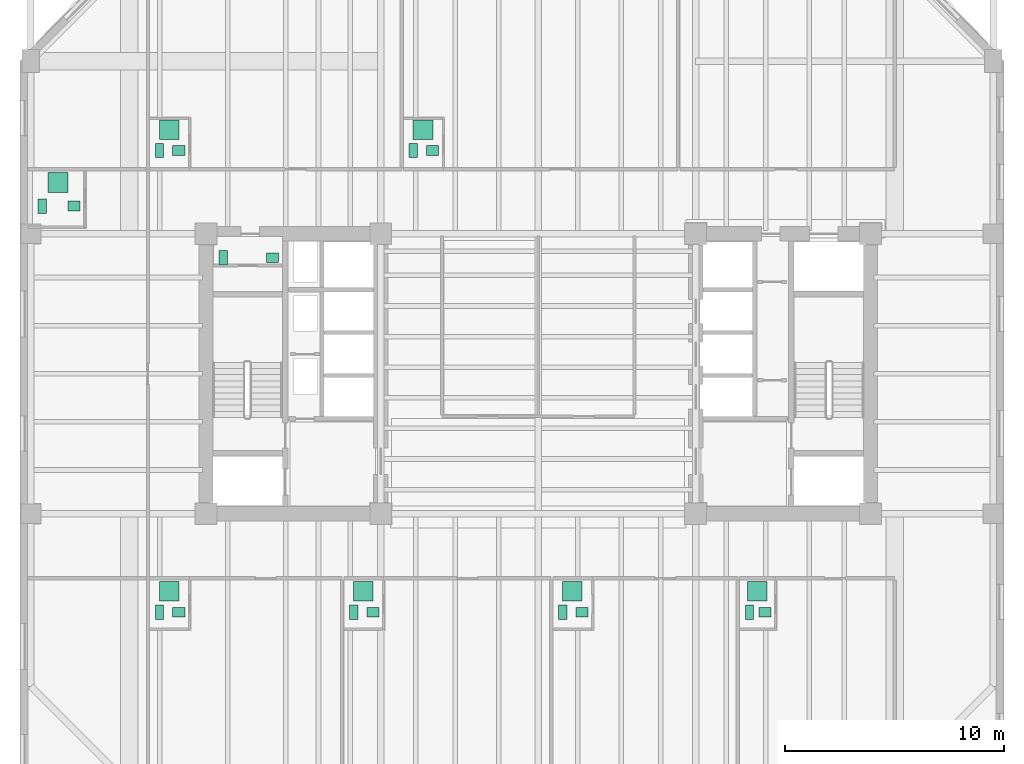
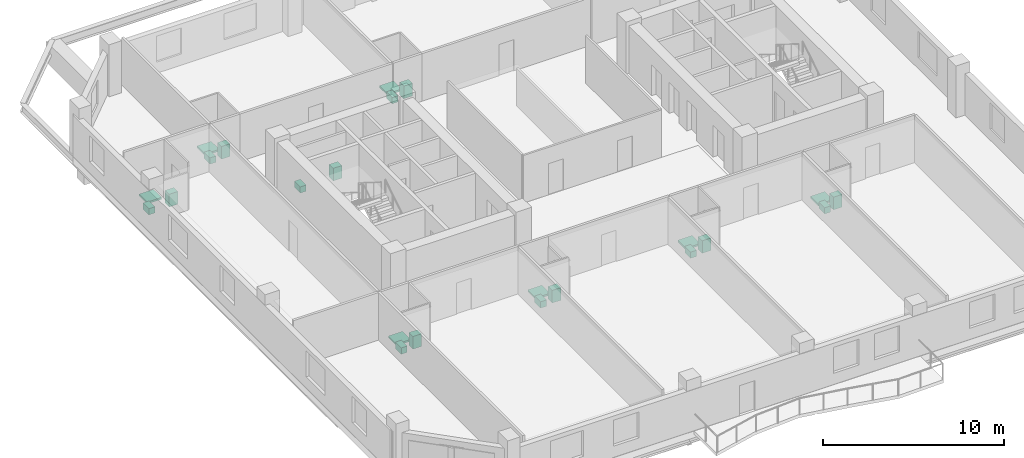
# One storey, part 11 of 11: 23 sanitary terminals.
"""IFC4 building model written with IfcOpenShell, lengths in metres."""

from ifc_helpers import new_model, si_unit, direction, frame, origin, origin_2d, place, context, subcontext, project, spatial, rectangle, extrude, material, type_object, element, save


model = new_model("IFC4")

# Units and contexts
model_context = context("Model", 3, precision=1e-05, world=origin(), true_north=direction((0.0, 1.0)))
body_context = subcontext(model_context, "Body", "Model", "MODEL_VIEW")
ifc_project = project(units=[si_unit("LENGTHUNIT", "METRE"), si_unit("AREAUNIT", "SQUARE_METRE"), si_unit("VOLUMEUNIT", "CUBIC_METRE"), si_unit("PLANEANGLEUNIT", "RADIAN"), si_unit("MASSUNIT", "GRAM", prefix="KILO")], contexts=[model_context])

# Site, building, storey
site_placement = place(None, origin())
site = spatial("IfcSite", under=ifc_project, at=site_placement, CompositionType="ELEMENT")
building_placement = place(site_placement, origin())
building = spatial("IfcBuilding", under=site, at=building_placement, Name="Kranthara Brick Stack", CompositionType="ELEMENT")
storey_placement = place(building_placement, frame((0.0, 0.0, 120.300048828125)))
storey = spatial("IfcBuildingStorey", under=building, at=storey_placement, Name="L29", CompositionType="ELEMENT", Elevation=120.300048828125)

# Sanitary terminals
ifc_material_1 = material(Name="Vitreous china sanitary porcelain", Category="other")
sanitary_terminal_type_1 = type_object("IfcSanitaryTerminalType", Name="SAN-BASIN", PredefinedType="WASHHANDBASIN", material=ifc_material_1)
for number, where, z_axis, x_axis, name in (
    (1, (15.85009765625, 32.5048828125, 0.0), (0.0, 0.0, 1.0), (1.0, 0.0, 0.0), "L29 Washbasin 87"),
    (2, (11.56005859375, 16.294921875, 0.0), (0.0, 0.0, 1.0), (1.0, 0.0, 0.0), "L29 Washbasin 88"),
    (3, (20.43896484375, 16.294921875, 0.0), (0.0, 0.0, 1.0), (1.0, 0.0, 0.0), "L29 Washbasin 89"),
    (4, (30.0009765625, 16.294921875, 0.0), (0.0, 0.0, 1.0), (1.0, 0.0, 0.0), "L29 Washbasin 90"),
    (5, (38.360107421875, 16.294921875, 0.0), (0.0, 0.0, 1.0), (1.0, 0.0, 0.0), "L29 Washbasin 91"),
    (6, (11.56005859375, 37.405029296875, 0.0), (0.0, 0.0, 1.0), (1.0, 0.0, 0.0), "L29 Washbasin 92"),
    (7, (23.1708984375, 37.405029296875, 0.0), (0.0, 0.0, 1.0), (1.0, 0.0, 0.0), "L29 Washbasin 93"),
    (8, (6.760009765625, 34.864990234375, 0.0), (0.0, 0.0, 1.0), (1.0, 0.0, 0.0), "L29 Washbasin 94"),
):
    element("IfcSanitaryTerminal", number, at=place(storey_placement, frame(where, z_axis=z_axis, x_axis=x_axis)), inside=storey, type_object=sanitary_terminal_type_1, Name=name, PredefinedType="WASHHANDBASIN", context=body_context, shape_type="SweptSolid", body=[
        extrude(rectangle(XDim=0.550048828125, YDim=0.449951171875, at=origin_2d()), origin(), (0.0, 0.0, 1.0), 0.85009765625),
    ])
ifc_material_2 = material(Name="Acrylic and porcelain shower tray", Category="other")
sanitary_terminal_type_2 = type_object("IfcSanitaryTerminalType", Name="SAN-SHOWER", PredefinedType="SHOWER", material=ifc_material_2)
for number, where, z_axis, x_axis, name in (
    (9, (11.1201171875, 17.25, 0.0), (0.0, 0.0, 1.0), (1.0, 0.0, 0.0), "L29 Shower Tray 88"),
    (10, (19.9990234375, 17.25, 0.0), (0.0, 0.0, 1.0), (1.0, 0.0, 0.0), "L29 Shower Tray 89"),
    (11, (29.56103515625, 17.25, 0.0), (0.0, 0.0, 1.0), (1.0, 0.0, 0.0), "L29 Shower Tray 90"),
    (12, (38.010009765625, 17.25, 0.0), (0.0, 0.0, 1.0), (1.0, 0.0, 0.0), "L29 Shower Tray 91"),
    (13, (11.1201171875, 38.360107421875, 0.0), (0.0, 0.0, 1.0), (1.0, 0.0, 0.0), "L29 Shower Tray 92"),
    (14, (22.73095703125, 38.360107421875, 0.0), (0.0, 0.0, 1.0), (1.0, 0.0, 0.0), "L29 Shower Tray 93"),
    (15, (6.0400390625, 35.949951171875, 0.0), (0.0, 0.0, 1.0), (1.0, 0.0, 0.0), "L29 Shower Tray 94"),
):
    element("IfcSanitaryTerminal", number, at=place(storey_placement, frame(where, z_axis=z_axis, x_axis=x_axis)), inside=storey, type_object=sanitary_terminal_type_2, Name=name, PredefinedType="SHOWER", context=body_context, shape_type="SweptSolid", body=[
        extrude(rectangle(XDim=0.89990234375, YDim=0.89990234375, at=origin_2d()), origin(), (0.0, 0.0, 1.0), 0.1201171875),
    ])
ifc_material_3 = material(Name="Vitreous china sanitary porcelain", Category="other")
sanitary_terminal_type_3 = type_object("IfcSanitaryTerminalType", Name="SAN-WC-PAN", PredefinedType="TOILETPAN", material=ifc_material_3)
for number, where, z_axis, x_axis, name in (
    (16, (13.60009765625, 32.5048828125, 0.0), (0.0, 0.0, 1.0), (1.0, 0.0, 0.0), "L29 WC Pan 87"),
    (17, (10.679931640625, 16.294921875, 0.0), (0.0, 0.0, 1.0), (1.0, 0.0, 0.0), "L29 WC Pan 88"),
    (18, (19.55908203125, 16.294921875, 0.0), (0.0, 0.0, 1.0), (1.0, 0.0, 0.0), "L29 WC Pan 89"),
    (19, (29.12109375, 16.294921875, 0.0), (0.0, 0.0, 1.0), (1.0, 0.0, 0.0), "L29 WC Pan 90"),
    (20, (37.658935546875, 16.294921875, 0.0), (0.0, 0.0, 1.0), (1.0, 0.0, 0.0), "L29 WC Pan 91"),
    (21, (10.679931640625, 37.405029296875, 0.0), (0.0, 0.0, 1.0), (1.0, 0.0, 0.0), "L29 WC Pan 92"),
    (22, (22.291015625, 37.405029296875, 0.0), (0.0, 0.0, 1.0), (1.0, 0.0, 0.0), "L29 WC Pan 93"),
    (23, (5.320068359375, 34.864990234375, 0.0), (0.0, 0.0, 1.0), (1.0, 0.0, 0.0), "L29 WC Pan 94"),
):
    element("IfcSanitaryTerminal", number, at=place(storey_placement, frame(where, z_axis=z_axis, x_axis=x_axis)), inside=storey, type_object=sanitary_terminal_type_3, Name=name, PredefinedType="TOILETPAN", context=body_context, shape_type="SweptSolid", body=[
        extrude(rectangle(XDim=0.3798828125, YDim=0.64990234375, at=origin_2d()), origin(), (0.0, 0.0, 1.0), 0.419921875),
    ])

save(model, "model.ifc")
